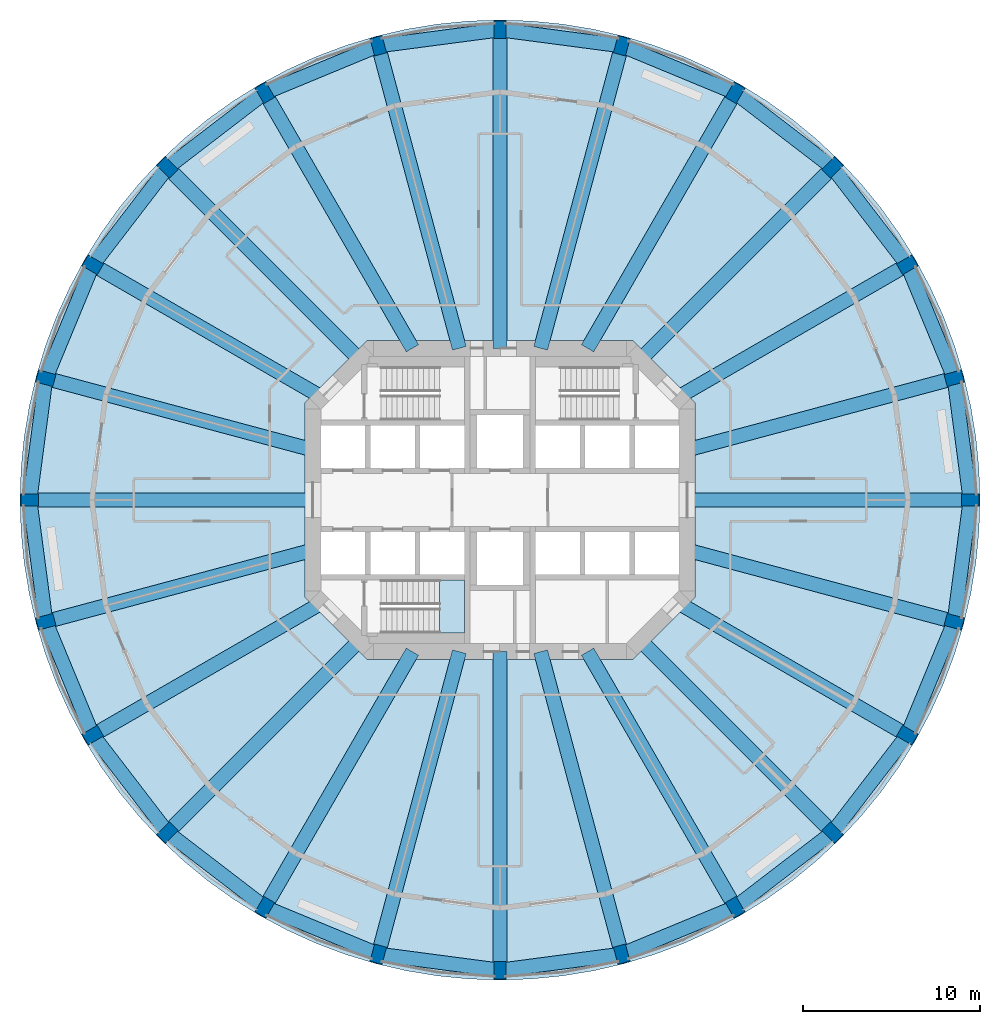
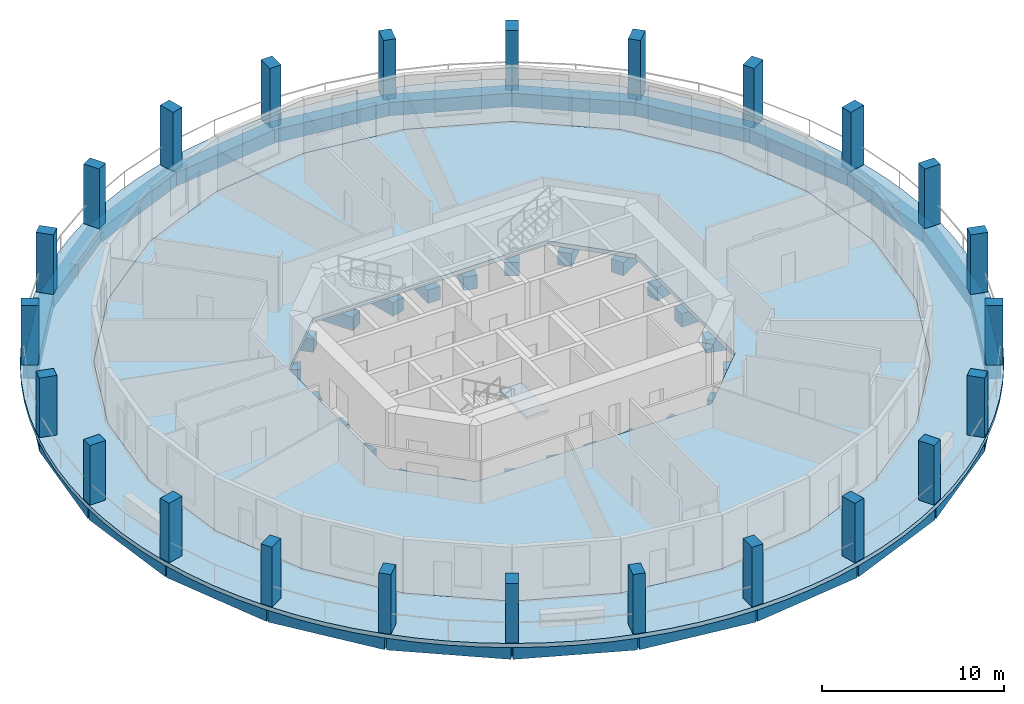
# One storey, part 1 of 9: 48 beams, 24 columns, 3 slabs, 1 element without a shape of its own.
"""IFC4 building model written with IfcOpenShell, lengths in metres."""

from ifc_helpers import new_model, si_unit, direction, frame, origin, origin_2d, place, context, subcontext, project, spatial, polyline, rectangle, outline, extrude, material, layer, layer_set, material_profile, profile_set, type_object, element, aggregate, save


model = new_model("IFC4")

# Units and contexts
model_context = context("Model", 3, precision=1e-05, world=origin(), true_north=direction((0.0, 1.0)))
body_context = subcontext(model_context, "Body", "Model", "MODEL_VIEW")
ifc_project = project(units=[si_unit("LENGTHUNIT", "METRE"), si_unit("AREAUNIT", "SQUARE_METRE"), si_unit("VOLUMEUNIT", "CUBIC_METRE"), si_unit("PLANEANGLEUNIT", "RADIAN"), si_unit("MASSUNIT", "GRAM", prefix="KILO")], contexts=[model_context])

# Site, building, storey
site_placement = place(None, origin())
site = spatial("IfcSite", under=ifc_project, at=site_placement, CompositionType="ELEMENT")
building_placement = place(site_placement, origin())
building = spatial("IfcBuilding", under=site, at=building_placement, Name="Torre Triforio", CompositionType="ELEMENT")
storey_placement = place(building_placement, frame((0.0, 0.0, 31.0)))
storey = spatial("IfcBuildingStorey", under=building, at=storey_placement, Name="L05", CompositionType="ELEMENT", Elevation=31.0)

# Columns
ifc_material_1 = material(Name="Concrete C70", Category="concrete")
ifc_material_profile_1 = material_profile(ifc_material_1, rectangle(XDim=0.699951171875, YDim=1.0, at=origin_2d()), Name="RC 700x1000")
ifc_profile_set_1 = profile_set([ifc_material_profile_1], Name="Concrete C70")
column_type = type_object("IfcColumnType", Name="Pier RC 700x1000 C70", PredefinedType="COLUMN", material=ifc_profile_set_1)
for number, where, z_axis, x_axis, name in (
    (1, (26.5, 0.0, 0.0), (0.0, 0.0, 1.0), (0.0, 1.0, 0.0), "COL.R.L05.00"),
    (2, (25.596923828125, 6.858642578125, 0.0), (0.0, 0.0, 1.0), (-0.258819045103, 0.965925826289, 0.0), "COL.R.L05.01"),
    (3, (22.94970703125, 13.25, 0.0), (0.0, 0.0, 1.0), (-0.5, 0.866025403784, 0.0), "COL.R.L05.02"),
    (4, (18.73828125, 18.73828125, 0.0), (0.0, 0.0, 1.0), (-0.707106781187, 0.707106781187, 0.0), "COL.R.L05.03"),
    (5, (13.25, 22.94970703125, 0.0), (0.0, 0.0, 1.0), (-0.866025403784, 0.5, 0.0), "COL.R.L05.04"),
    (6, (6.858642578125, 25.596923828125, 0.0), (0.0, 0.0, 1.0), (-0.965925826289, 0.258819045103, 0.0), "COL.R.L05.05"),
    (7, (0.0, 26.5, 0.0), (0.0, 0.0, 1.0), (-1.0, 0.0, 0.0), "COL.R.L05.06"),
    (8, (-6.858642578125, 25.596923828125, 0.0), (0.0, 0.0, 1.0), (-0.965925826289, -0.258819045103, 0.0), "COL.R.L05.07"),
    (9, (-13.25, 22.94970703125, 0.0), (0.0, 0.0, 1.0), (-0.866025403784, -0.5, 0.0), "COL.R.L05.08"),
    (10, (-18.73828125, 18.73828125, 0.0), (0.0, 0.0, 1.0), (-0.707106781187, -0.707106781187, 0.0), "COL.R.L05.09"),
    (11, (-22.94970703125, 13.25, 0.0), (0.0, 0.0, 1.0), (-0.5, -0.866025403784, 0.0), "COL.R.L05.10"),
    (12, (-25.596923828125, 6.858642578125, 0.0), (0.0, 0.0, 1.0), (-0.258819045103, -0.965925826289, 0.0), "COL.R.L05.11"),
    (13, (-26.5, 0.0, 0.0), (0.0, 0.0, 1.0), (0.0, -1.0, 0.0), "COL.R.L05.12"),
    (14, (-25.596923828125, -6.858642578125, 0.0), (0.0, 0.0, 1.0), (0.258819045103, -0.965925826289, 0.0), "COL.R.L05.13"),
    (15, (-22.94970703125, -13.25, 0.0), (0.0, 0.0, 1.0), (0.5, -0.866025403784, 0.0), "COL.R.L05.14"),
    (16, (-18.73828125, -18.73828125, 0.0), (0.0, 0.0, 1.0), (0.707106781187, -0.707106781187, 0.0), "COL.R.L05.15"),
    (17, (-13.25, -22.94970703125, 0.0), (0.0, 0.0, 1.0), (0.866025403784, -0.5, 0.0), "COL.R.L05.16"),
    (18, (-6.858642578125, -25.596923828125, 0.0), (0.0, 0.0, 1.0), (0.965925826289, -0.258819045103, 0.0), "COL.R.L05.17"),
    (19, (0.0, -26.5, 0.0), (0.0, 0.0, 1.0), (1.0, 0.0, 0.0), "COL.R.L05.18"),
    (20, (6.858642578125, -25.596923828125, 0.0), (0.0, 0.0, 1.0), (0.965925826289, 0.258819045103, 0.0), "COL.R.L05.19"),
    (21, (13.25, -22.94970703125, 0.0), (0.0, 0.0, 1.0), (0.866025403784, 0.5, 0.0), "COL.R.L05.20"),
    (22, (18.73828125, -18.73828125, 0.0), (0.0, 0.0, 1.0), (0.707106781187, 0.707106781187, 0.0), "COL.R.L05.21"),
    (23, (22.94970703125, -13.25, 0.0), (0.0, 0.0, 1.0), (0.5, 0.866025403784, 0.0), "COL.R.L05.22"),
    (24, (25.596923828125, -6.858642578125, 0.0), (0.0, 0.0, 1.0), (0.258819045103, 0.965925826289, 0.0), "COL.R.L05.23"),
):
    element("IfcColumn", number, at=place(storey_placement, frame(where, z_axis=z_axis, x_axis=x_axis)), inside=storey, type_object=column_type, Name=name, PredefinedType="COLUMN", context=body_context, shape_type="SweptSolid", body=[
        extrude(rectangle(XDim=0.699951171875, YDim=1.0, at=origin_2d()), origin(), (0.0, 0.0, 1.0), 4.0),
    ])

# Beams
ifc_material_2 = material(Name="Concrete C50", Category="concrete")
ifc_material_profile_2 = material_profile(ifc_material_2, rectangle(XDim=0.800048828125, YDim=0.89990234375, at=origin_2d()), Name="RC 800x900")
ifc_profile_set_2 = profile_set([ifc_material_profile_2], Name="Concrete C50")
beam_type_1 = type_object("IfcBeamType", Name="Radial beam RC 800x900 C50", PredefinedType="BEAM", material=ifc_profile_set_2)
beam_1_placement = place(storey_placement, frame((10.550048828125, 0.0, -0.72998046875), z_axis=(1.0, 0.0, 0.0), x_axis=(0.0, 1.0, 0.0)))
element("IfcBeam", 25, at=beam_1_placement, inside=storey, type_object=beam_type_1, Name="BM.R.L05.00", PredefinedType="BEAM", context=body_context, shape_type="SweptSolid", body=[
    extrude(rectangle(XDim=0.800048828125, YDim=0.89990234375, at=origin_2d()), origin(), (0.0, 0.0, 1.0), 15.949951171875),
])
beam_2_placement = place(storey_placement, frame((10.550048828125, 2.826904296875, -0.72998046875), z_axis=(0.965926784764, 0.258815467997, 0.0), x_axis=(-0.258815467997, 0.965926784764, 0.0)))
element("IfcBeam", 26, at=beam_2_placement, inside=storey, type_object=beam_type_1, Name="BM.R.L05.01", PredefinedType="BEAM", context=body_context, shape_type="SweptSolid", body=[
    extrude(rectangle(XDim=0.800048828125, YDim=0.89990234375, at=origin_2d()), origin(), (0.0, 0.0, 1.0), 15.57763671875),
])
beam_3_placement = place(storey_placement, frame((10.039794921875, 5.796630859375, -0.72998046875), z_axis=(0.866030402573, 0.499991341745, 0.0), x_axis=(-0.499991341745, 0.866030402573, 0.0)))
element("IfcBeam", 27, at=beam_3_placement, inside=storey, type_object=beam_type_1, Name="BM.R.L05.02", PredefinedType="BEAM", context=body_context, shape_type="SweptSolid", body=[
    extrude(rectangle(XDim=0.800048828125, YDim=0.89990234375, at=origin_2d()), origin(), (0.0, 0.0, 1.0), 14.906982421875),
])
beam_4_placement = place(storey_placement, frame((7.918212890625, 7.918212890625, -0.72998046875), z_axis=(0.707106781187, 0.707106781187, 0.0), x_axis=(-0.707106781187, 0.707106781187, 0.0)))
element("IfcBeam", 28, at=beam_4_placement, inside=storey, type_object=beam_type_1, Name="BM.R.L05.03", PredefinedType="BEAM", context=body_context, shape_type="SweptSolid", body=[
    extrude(rectangle(XDim=0.800048828125, YDim=0.89990234375, at=origin_2d()), origin(), (0.0, 0.0, 1.0), 15.302001953125),
])
beam_5_placement = place(storey_placement, frame((4.936279296875, 8.550048828125, -0.72998046875), z_axis=(0.500003345241, 0.8660234724, 0.0), x_axis=(-0.8660234724, 0.500003345241, 0.0)))
element("IfcBeam", 29, at=beam_5_placement, inside=storey, type_object=beam_type_1, Name="BM.R.L05.04", PredefinedType="BEAM", context=body_context, shape_type="SweptSolid", body=[
    extrude(rectangle(XDim=0.800048828125, YDim=0.89990234375, at=origin_2d()), origin(), (0.0, 0.0, 1.0), 16.62744140625),
])
beam_6_placement = place(storey_placement, frame((2.291015625, 8.550048828125, -0.72998046875), z_axis=(0.258815374176, 0.965926809903, 0.0), x_axis=(-0.965926809903, 0.258815374176, 0.0)))
element("IfcBeam", 30, at=beam_6_placement, inside=storey, type_object=beam_type_1, Name="BM.R.L05.05", PredefinedType="BEAM", context=body_context, shape_type="SweptSolid", body=[
    extrude(rectangle(XDim=0.800048828125, YDim=0.89990234375, at=origin_2d()), origin(), (0.0, 0.0, 1.0), 17.648193359375),
])
beam_7_placement = place(storey_placement, frame((0.0, 8.550048828125, -0.72998046875), z_axis=(0.0, 1.0, 0.0), x_axis=(-1.0, 0.0, 0.0)))
element("IfcBeam", 31, at=beam_7_placement, inside=storey, type_object=beam_type_1, Name="BM.R.L05.06", PredefinedType="BEAM", context=body_context, shape_type="SweptSolid", body=[
    extrude(rectangle(XDim=0.800048828125, YDim=0.89990234375, at=origin_2d()), origin(), (0.0, 0.0, 1.0), 17.949951171875),
])
beam_8_placement = place(storey_placement, frame((-2.291015625, 8.550048828125, -0.72998046875), z_axis=(-0.258815374176, 0.965926809903, 0.0), x_axis=(-0.965926809903, -0.258815374176, 0.0)))
element("IfcBeam", 32, at=beam_8_placement, inside=storey, type_object=beam_type_1, Name="BM.R.L05.07", PredefinedType="BEAM", context=body_context, shape_type="SweptSolid", body=[
    extrude(rectangle(XDim=0.800048828125, YDim=0.89990234375, at=origin_2d()), origin(), (0.0, 0.0, 1.0), 17.648193359375),
])
beam_9_placement = place(storey_placement, frame((-4.936279296875, 8.550048828125, -0.72998046875), z_axis=(-0.500003345241, 0.8660234724, 0.0), x_axis=(-0.8660234724, -0.500003345241, 0.0)))
element("IfcBeam", 33, at=beam_9_placement, inside=storey, type_object=beam_type_1, Name="BM.R.L05.08", PredefinedType="BEAM", context=body_context, shape_type="SweptSolid", body=[
    extrude(rectangle(XDim=0.800048828125, YDim=0.89990234375, at=origin_2d()), origin(), (0.0, 0.0, 1.0), 16.62744140625),
])
beam_10_placement = place(storey_placement, frame((-7.918212890625, 7.918212890625, -0.72998046875), z_axis=(-0.707106781187, 0.707106781187, 0.0), x_axis=(-0.707106781187, -0.707106781187, 0.0)))
element("IfcBeam", 34, at=beam_10_placement, inside=storey, type_object=beam_type_1, Name="BM.R.L05.09", PredefinedType="BEAM", context=body_context, shape_type="SweptSolid", body=[
    extrude(rectangle(XDim=0.800048828125, YDim=0.89990234375, at=origin_2d()), origin(), (0.0, 0.0, 1.0), 15.302001953125),
])
beam_11_placement = place(storey_placement, frame((-10.039794921875, 5.796630859375, -0.72998046875), z_axis=(-0.866030402573, 0.499991341745, 0.0), x_axis=(-0.499991341745, -0.866030402573, 0.0)))
element("IfcBeam", 35, at=beam_11_placement, inside=storey, type_object=beam_type_1, Name="BM.R.L05.10", PredefinedType="BEAM", context=body_context, shape_type="SweptSolid", body=[
    extrude(rectangle(XDim=0.800048828125, YDim=0.89990234375, at=origin_2d()), origin(), (0.0, 0.0, 1.0), 14.906982421875),
])
beam_12_placement = place(storey_placement, frame((-10.550048828125, 2.826904296875, -0.72998046875), z_axis=(-0.965926784764, 0.258815467997, 0.0), x_axis=(-0.258815467997, -0.965926784764, 0.0)))
element("IfcBeam", 36, at=beam_12_placement, inside=storey, type_object=beam_type_1, Name="BM.R.L05.11", PredefinedType="BEAM", context=body_context, shape_type="SweptSolid", body=[
    extrude(rectangle(XDim=0.800048828125, YDim=0.89990234375, at=origin_2d()), origin(), (0.0, 0.0, 1.0), 15.57763671875),
])
beam_13_placement = place(storey_placement, frame((-10.550048828125, 0.0, -0.72998046875), z_axis=(-1.0, 0.0, 0.0), x_axis=(0.0, -1.0, 0.0)))
element("IfcBeam", 37, at=beam_13_placement, inside=storey, type_object=beam_type_1, Name="BM.R.L05.12", PredefinedType="BEAM", context=body_context, shape_type="SweptSolid", body=[
    extrude(rectangle(XDim=0.800048828125, YDim=0.89990234375, at=origin_2d()), origin(), (0.0, 0.0, 1.0), 15.949951171875),
])
beam_14_placement = place(storey_placement, frame((-10.550048828125, -2.826904296875, -0.72998046875), z_axis=(-0.965926784764, -0.258815467997, 0.0), x_axis=(0.258815467997, -0.965926784764, 0.0)))
element("IfcBeam", 38, at=beam_14_placement, inside=storey, type_object=beam_type_1, Name="BM.R.L05.13", PredefinedType="BEAM", context=body_context, shape_type="SweptSolid", body=[
    extrude(rectangle(XDim=0.800048828125, YDim=0.89990234375, at=origin_2d()), origin(), (0.0, 0.0, 1.0), 15.57763671875),
])
beam_15_placement = place(storey_placement, frame((-10.039794921875, -5.796630859375, -0.72998046875), z_axis=(-0.866030402573, -0.499991341745, 0.0), x_axis=(0.499991341745, -0.866030402573, 0.0)))
element("IfcBeam", 39, at=beam_15_placement, inside=storey, type_object=beam_type_1, Name="BM.R.L05.14", PredefinedType="BEAM", context=body_context, shape_type="SweptSolid", body=[
    extrude(rectangle(XDim=0.800048828125, YDim=0.89990234375, at=origin_2d()), origin(), (0.0, 0.0, 1.0), 14.906982421875),
])
beam_16_placement = place(storey_placement, frame((-7.918212890625, -7.918212890625, -0.72998046875), z_axis=(-0.707106781187, -0.707106781187, 0.0), x_axis=(0.707106781187, -0.707106781187, 0.0)))
element("IfcBeam", 40, at=beam_16_placement, inside=storey, type_object=beam_type_1, Name="BM.R.L05.15", PredefinedType="BEAM", context=body_context, shape_type="SweptSolid", body=[
    extrude(rectangle(XDim=0.800048828125, YDim=0.89990234375, at=origin_2d()), origin(), (0.0, 0.0, 1.0), 15.302001953125),
])
beam_17_placement = place(storey_placement, frame((-4.936279296875, -8.550048828125, -0.72998046875), z_axis=(-0.500003345241, -0.8660234724, 0.0), x_axis=(0.8660234724, -0.500003345241, 0.0)))
element("IfcBeam", 41, at=beam_17_placement, inside=storey, type_object=beam_type_1, Name="BM.R.L05.16", PredefinedType="BEAM", context=body_context, shape_type="SweptSolid", body=[
    extrude(rectangle(XDim=0.800048828125, YDim=0.89990234375, at=origin_2d()), origin(), (0.0, 0.0, 1.0), 16.62744140625),
])
beam_18_placement = place(storey_placement, frame((-2.291015625, -8.550048828125, -0.72998046875), z_axis=(-0.258815374176, -0.965926809903, 0.0), x_axis=(0.965926809903, -0.258815374176, 0.0)))
element("IfcBeam", 42, at=beam_18_placement, inside=storey, type_object=beam_type_1, Name="BM.R.L05.17", PredefinedType="BEAM", context=body_context, shape_type="SweptSolid", body=[
    extrude(rectangle(XDim=0.800048828125, YDim=0.89990234375, at=origin_2d()), origin(), (0.0, 0.0, 1.0), 17.648193359375),
])
beam_19_placement = place(storey_placement, frame((0.0, -8.550048828125, -0.72998046875), z_axis=(0.0, -1.0, 0.0), x_axis=(1.0, 0.0, 0.0)))
element("IfcBeam", 43, at=beam_19_placement, inside=storey, type_object=beam_type_1, Name="BM.R.L05.18", PredefinedType="BEAM", context=body_context, shape_type="SweptSolid", body=[
    extrude(rectangle(XDim=0.800048828125, YDim=0.89990234375, at=origin_2d()), origin(), (0.0, 0.0, 1.0), 17.949951171875),
])
beam_20_placement = place(storey_placement, frame((2.291015625, -8.550048828125, -0.72998046875), z_axis=(0.258815374176, -0.965926809903, 0.0), x_axis=(0.965926809903, 0.258815374176, 0.0)))
element("IfcBeam", 44, at=beam_20_placement, inside=storey, type_object=beam_type_1, Name="BM.R.L05.19", PredefinedType="BEAM", context=body_context, shape_type="SweptSolid", body=[
    extrude(rectangle(XDim=0.800048828125, YDim=0.89990234375, at=origin_2d()), origin(), (0.0, 0.0, 1.0), 17.648193359375),
])
beam_21_placement = place(storey_placement, frame((4.936279296875, -8.550048828125, -0.72998046875), z_axis=(0.500003345241, -0.8660234724, 0.0), x_axis=(0.8660234724, 0.500003345241, 0.0)))
element("IfcBeam", 45, at=beam_21_placement, inside=storey, type_object=beam_type_1, Name="BM.R.L05.20", PredefinedType="BEAM", context=body_context, shape_type="SweptSolid", body=[
    extrude(rectangle(XDim=0.800048828125, YDim=0.89990234375, at=origin_2d()), origin(), (0.0, 0.0, 1.0), 16.62744140625),
])
beam_22_placement = place(storey_placement, frame((7.918212890625, -7.918212890625, -0.72998046875), z_axis=(0.707106781187, -0.707106781187, 0.0), x_axis=(0.707106781187, 0.707106781187, 0.0)))
element("IfcBeam", 46, at=beam_22_placement, inside=storey, type_object=beam_type_1, Name="BM.R.L05.21", PredefinedType="BEAM", context=body_context, shape_type="SweptSolid", body=[
    extrude(rectangle(XDim=0.800048828125, YDim=0.89990234375, at=origin_2d()), origin(), (0.0, 0.0, 1.0), 15.302001953125),
])
beam_23_placement = place(storey_placement, frame((10.039794921875, -5.796630859375, -0.72998046875), z_axis=(0.866030402573, -0.499991341745, 0.0), x_axis=(0.499991341745, 0.866030402573, 0.0)))
element("IfcBeam", 47, at=beam_23_placement, inside=storey, type_object=beam_type_1, Name="BM.R.L05.22", PredefinedType="BEAM", context=body_context, shape_type="SweptSolid", body=[
    extrude(rectangle(XDim=0.800048828125, YDim=0.89990234375, at=origin_2d()), origin(), (0.0, 0.0, 1.0), 14.906982421875),
])
beam_24_placement = place(storey_placement, frame((10.550048828125, -2.826904296875, -0.72998046875), z_axis=(0.965926784764, -0.258815467997, 0.0), x_axis=(0.258815467997, 0.965926784764, 0.0)))
element("IfcBeam", 48, at=beam_24_placement, inside=storey, type_object=beam_type_1, Name="BM.R.L05.23", PredefinedType="BEAM", context=body_context, shape_type="SweptSolid", body=[
    extrude(rectangle(XDim=0.800048828125, YDim=0.89990234375, at=origin_2d()), origin(), (0.0, 0.0, 1.0), 15.57763671875),
])
ifc_material_profile_3 = material_profile(ifc_material_2, rectangle(XDim=0.800048828125, YDim=0.89990234375, at=origin_2d()), Name="RC 800x900")
ifc_profile_set_3 = profile_set([ifc_material_profile_3], Name="Concrete C50")
beam_type_2 = type_object("IfcBeamType", Name="Spandrel beam RC 800x900 C50", PredefinedType="SPANDREL", material=ifc_profile_set_3)
beam_25_placement = place(storey_placement, frame((26.5, 0.0, -0.72998046875), z_axis=(-0.130543064996, 0.991442639885, 0.0), x_axis=(-0.991442639885, -0.130543064996, 0.0)))
element("IfcBeam", 49, at=beam_25_placement, inside=storey, type_object=beam_type_2, Name="BM.S.L05.00", PredefinedType="SPANDREL", context=body_context, shape_type="SweptSolid", body=[
    extrude(rectangle(XDim=0.800048828125, YDim=0.89990234375, at=origin_2d()), origin(), (0.0, 0.0, 1.0), 6.917724609375),
])
for number, where, z_axis, x_axis, name in (
    (50, (25.596923828125, 6.858642578125, -0.72998046875), (-0.382662441128, 0.923888227087, 0.0), (-0.923888227087, -0.382662441128, 0.0), "BM.S.L05.01"),
    (51, (22.94970703125, 13.25, -0.72998046875), (-0.608772297796, 0.793345000259, 0.0), (-0.793345000259, -0.608772297796, 0.0), "BM.S.L05.02"),
    (52, (18.73828125, 18.73828125, -0.72998046875), (-0.793345000259, 0.608772297796, 0.0), (-0.608772297796, -0.793345000259, 0.0), "BM.S.L05.03"),
    (53, (13.25, 22.94970703125, -0.72998046875), (-0.923888227087, 0.382662441128, 0.0), (-0.382662441128, -0.923888227087, 0.0), "BM.S.L05.04"),
):
    element("IfcBeam", number, at=place(storey_placement, frame(where, z_axis=z_axis, x_axis=x_axis)), inside=storey, type_object=beam_type_2, Name=name, PredefinedType="SPANDREL", context=body_context, shape_type="SweptSolid", body=[
        extrude(rectangle(XDim=0.800048828125, YDim=0.89990234375, at=origin_2d()), origin(), (0.0, 0.0, 1.0), 6.91796875),
    ])
for number, where, z_axis, x_axis, name in (
    (54, (6.858642578125, 25.596923828125, -0.72998046875), (-0.991442639885, 0.130543064996, 0.0), (-0.130543064996, -0.991442639885, 0.0), "BM.S.L05.05"),
    (55, (0.0, 26.5, -0.72998046875), (-0.991442639885, -0.130543064996, 0.0), (0.130543064996, -0.991442639885, 0.0), "BM.S.L05.06"),
):
    element("IfcBeam", number, at=place(storey_placement, frame(where, z_axis=z_axis, x_axis=x_axis)), inside=storey, type_object=beam_type_2, Name=name, PredefinedType="SPANDREL", context=body_context, shape_type="SweptSolid", body=[
        extrude(rectangle(XDim=0.800048828125, YDim=0.89990234375, at=origin_2d()), origin(), (0.0, 0.0, 1.0), 6.917724609375),
    ])
for number, where, z_axis, x_axis, name in (
    (56, (-6.858642578125, 25.596923828125, -0.72998046875), (-0.923888227087, -0.382662441128, 0.0), (0.382662441128, -0.923888227087, 0.0), "BM.S.L05.07"),
    (57, (-13.25, 22.94970703125, -0.72998046875), (-0.793345000259, -0.608772297796, 0.0), (0.608772297796, -0.793345000259, 0.0), "BM.S.L05.08"),
    (58, (-18.73828125, 18.73828125, -0.72998046875), (-0.608772297796, -0.793345000259, 0.0), (0.793345000259, -0.608772297796, 0.0), "BM.S.L05.09"),
    (59, (-22.94970703125, 13.25, -0.72998046875), (-0.382662441128, -0.923888227087, 0.0), (0.923888227087, -0.382662441128, 0.0), "BM.S.L05.10"),
):
    element("IfcBeam", number, at=place(storey_placement, frame(where, z_axis=z_axis, x_axis=x_axis)), inside=storey, type_object=beam_type_2, Name=name, PredefinedType="SPANDREL", context=body_context, shape_type="SweptSolid", body=[
        extrude(rectangle(XDim=0.800048828125, YDim=0.89990234375, at=origin_2d()), origin(), (0.0, 0.0, 1.0), 6.91796875),
    ])
for number, where, z_axis, x_axis, name in (
    (60, (-25.596923828125, 6.858642578125, -0.72998046875), (-0.130543064996, -0.991442639885, 0.0), (0.991442639885, -0.130543064996, 0.0), "BM.S.L05.11"),
    (61, (-26.5, 0.0, -0.72998046875), (0.130543064996, -0.991442639885, 0.0), (0.991442639885, 0.130543064996, 0.0), "BM.S.L05.12"),
):
    element("IfcBeam", number, at=place(storey_placement, frame(where, z_axis=z_axis, x_axis=x_axis)), inside=storey, type_object=beam_type_2, Name=name, PredefinedType="SPANDREL", context=body_context, shape_type="SweptSolid", body=[
        extrude(rectangle(XDim=0.800048828125, YDim=0.89990234375, at=origin_2d()), origin(), (0.0, 0.0, 1.0), 6.917724609375),
    ])
for number, where, z_axis, x_axis, name in (
    (62, (-25.596923828125, -6.858642578125, -0.72998046875), (0.382662441128, -0.923888227087, 0.0), (0.923888227087, 0.382662441128, 0.0), "BM.S.L05.13"),
    (63, (-22.94970703125, -13.25, -0.72998046875), (0.608772297796, -0.793345000259, 0.0), (0.793345000259, 0.608772297796, 0.0), "BM.S.L05.14"),
    (64, (-18.73828125, -18.73828125, -0.72998046875), (0.793345000259, -0.608772297796, 0.0), (0.608772297796, 0.793345000259, 0.0), "BM.S.L05.15"),
    (65, (-13.25, -22.94970703125, -0.72998046875), (0.923888227087, -0.382662441128, 0.0), (0.382662441128, 0.923888227087, 0.0), "BM.S.L05.16"),
):
    element("IfcBeam", number, at=place(storey_placement, frame(where, z_axis=z_axis, x_axis=x_axis)), inside=storey, type_object=beam_type_2, Name=name, PredefinedType="SPANDREL", context=body_context, shape_type="SweptSolid", body=[
        extrude(rectangle(XDim=0.800048828125, YDim=0.89990234375, at=origin_2d()), origin(), (0.0, 0.0, 1.0), 6.91796875),
    ])
for number, where, z_axis, x_axis, name in (
    (66, (-6.858642578125, -25.596923828125, -0.72998046875), (0.991442639885, -0.130543064996, 0.0), (0.130543064996, 0.991442639885, 0.0), "BM.S.L05.17"),
    (67, (0.0, -26.5, -0.72998046875), (0.991442639885, 0.130543064996, 0.0), (-0.130543064996, 0.991442639885, 0.0), "BM.S.L05.18"),
):
    element("IfcBeam", number, at=place(storey_placement, frame(where, z_axis=z_axis, x_axis=x_axis)), inside=storey, type_object=beam_type_2, Name=name, PredefinedType="SPANDREL", context=body_context, shape_type="SweptSolid", body=[
        extrude(rectangle(XDim=0.800048828125, YDim=0.89990234375, at=origin_2d()), origin(), (0.0, 0.0, 1.0), 6.917724609375),
    ])
for number, where, z_axis, x_axis, name in (
    (68, (6.858642578125, -25.596923828125, -0.72998046875), (0.923888227087, 0.382662441128, 0.0), (-0.382662441128, 0.923888227087, 0.0), "BM.S.L05.19"),
    (69, (13.25, -22.94970703125, -0.72998046875), (0.793345000259, 0.608772297796, 0.0), (-0.608772297796, 0.793345000259, 0.0), "BM.S.L05.20"),
    (70, (18.73828125, -18.73828125, -0.72998046875), (0.608772297796, 0.793345000259, 0.0), (-0.793345000259, 0.608772297796, 0.0), "BM.S.L05.21"),
    (71, (22.94970703125, -13.25, -0.72998046875), (0.382662441128, 0.923888227087, 0.0), (-0.923888227087, 0.382662441128, 0.0), "BM.S.L05.22"),
):
    element("IfcBeam", number, at=place(storey_placement, frame(where, z_axis=z_axis, x_axis=x_axis)), inside=storey, type_object=beam_type_2, Name=name, PredefinedType="SPANDREL", context=body_context, shape_type="SweptSolid", body=[
        extrude(rectangle(XDim=0.800048828125, YDim=0.89990234375, at=origin_2d()), origin(), (0.0, 0.0, 1.0), 6.91796875),
    ])
beam_26_placement = place(storey_placement, frame((25.596923828125, -6.858642578125, -0.72998046875), z_axis=(0.130543064996, 0.991442639885, 0.0), x_axis=(-0.991442639885, 0.130543064996, 0.0)))
element("IfcBeam", 72, at=beam_26_placement, inside=storey, type_object=beam_type_2, Name="BM.S.L05.23", PredefinedType="SPANDREL", context=body_context, shape_type="SweptSolid", body=[
    extrude(rectangle(XDim=0.800048828125, YDim=0.89990234375, at=origin_2d()), origin(), (0.0, 0.0, 1.0), 6.917724609375),
])

# Slabs
ifc_layer_1 = layer(ifc_material_2, 0.280029296875)
ifc_layer_set_1 = layer_set([ifc_layer_1], Name="Concrete C50")
slab_type_1 = type_object("IfcSlabType", Name="Floor slab 280 C50", PredefinedType="FLOOR", material=ifc_layer_set_1)
slab_1_placement = place(storey_placement, frame((0.0, 0.0, -0.280029296875)))
element("IfcSlab", 73, at=slab_1_placement, inside=storey, type_object=slab_type_1, Name="SL.L05", PredefinedType="FLOOR", context=body_context, shape_type="SweptSolid", body=[
    extrude(outline(polyline([(19.918701171875, -11.5), (22.21630859375, -5.952880859375), (23.0, 0.0), (22.21630859375, 5.952880859375), (19.918701171875, 11.5), (16.263427734375, 16.263427734375), (11.5, 19.918701171875), (5.952880859375, 22.21630859375), (0.0, 23.0), (-5.952880859375, 22.21630859375), (-11.5, 19.918701171875), (-16.263427734375, 16.263427734375), (-19.918701171875, 11.5), (-22.21630859375, 5.952880859375), (-23.0, 0.0), (-22.21630859375, -5.952880859375), (-19.918701171875, -11.5), (-16.263427734375, -16.263427734375), (-11.5, -19.918701171875), (-5.952880859375, -22.21630859375), (0.0, -23.0), (5.952880859375, -22.21630859375), (11.5, -19.918701171875), (16.263427734375, -16.263427734375), (19.918701171875, -11.5)]), holes=[polyline([(11.0, 5.472900390625), (11.0, -5.472900390625), (7.472900390625, -9.0), (-7.472900390625, -9.0), (-11.0, -5.472900390625), (-11.0, 5.472900390625), (-7.472900390625, 9.0), (7.472900390625, 9.0), (11.0, 5.472900390625)])]), origin(), (0.0, 0.0, 1.0), 0.280029296875),
])
ifc_layer_2 = layer(ifc_material_2, 0.280029296875)
ifc_layer_set_2 = layer_set([ifc_layer_2], Name="Concrete C50")
slab_type_2 = type_object("IfcSlabType", Name="Loggia slab 280 C50", PredefinedType="FLOOR", material=ifc_layer_set_2)
slab_2_placement = place(storey_placement, frame((0.0, 0.0, -0.280029296875)))
element("IfcSlab", 74, at=slab_2_placement, inside=storey, type_object=slab_type_2, Name="SL.L05.LG", PredefinedType="FLOOR", context=body_context, shape_type="SweptSolid", body=[
    extrude(outline(polyline([(26.9921875, -1.76904296875), (27.050048828125, 0.0), (26.9921875, 1.76904296875), (26.818603515625, 3.53076171875), (26.5302734375, 5.277099609375), (26.128173828125, 7.0009765625), (25.614501953125, 8.69482421875), (24.990966796875, 10.3515625), (24.260498046875, 11.9638671875), (23.426025390625, 13.52490234375), (22.4912109375, 15.028076171875), (21.460205078125, 16.467041015625), (20.337158203125, 17.835205078125), (19.127197265625, 19.127197265625), (17.835205078125, 20.337158203125), (16.467041015625, 21.460205078125), (15.028076171875, 22.4912109375), (13.52490234375, 23.426025390625), (11.9638671875, 24.260498046875), (10.3515625, 24.990966796875), (8.69482421875, 25.614501953125), (7.0009765625, 26.128173828125), (5.277099609375, 26.5302734375), (3.53076171875, 26.818603515625), (1.76904296875, 26.9921875), (0.0, 27.050048828125), (-1.76904296875, 26.9921875), (-3.53076171875, 26.818603515625), (-5.277099609375, 26.5302734375), (-7.0009765625, 26.128173828125), (-8.69482421875, 25.614501953125), (-10.3515625, 24.990966796875), (-11.9638671875, 24.260498046875), (-13.52490234375, 23.426025390625), (-15.028076171875, 22.4912109375), (-16.467041015625, 21.460205078125), (-17.835205078125, 20.337158203125), (-19.127197265625, 19.127197265625), (-20.337158203125, 17.835205078125), (-21.460205078125, 16.467041015625), (-22.4912109375, 15.028076171875), (-23.426025390625, 13.52490234375), (-24.260498046875, 11.9638671875), (-24.990966796875, 10.3515625), (-25.614501953125, 8.69482421875), (-26.128173828125, 7.0009765625), (-26.5302734375, 5.277099609375), (-26.818603515625, 3.53076171875), (-26.9921875, 1.76904296875), (-27.050048828125, 0.0), (-26.9921875, -1.76904296875), (-26.818603515625, -3.53076171875), (-26.5302734375, -5.277099609375), (-26.128173828125, -7.0009765625), (-25.614501953125, -8.69482421875), (-24.990966796875, -10.3515625), (-24.260498046875, -11.9638671875), (-23.426025390625, -13.52490234375), (-22.4912109375, -15.028076171875), (-21.460205078125, -16.467041015625), (-20.337158203125, -17.835205078125), (-19.127197265625, -19.127197265625), (-17.835205078125, -20.337158203125), (-16.467041015625, -21.460205078125), (-15.028076171875, -22.4912109375), (-13.52490234375, -23.426025390625), (-11.9638671875, -24.260498046875), (-10.3515625, -24.990966796875), (-8.69482421875, -25.614501953125), (-7.0009765625, -26.128173828125), (-5.277099609375, -26.5302734375), (-3.53076171875, -26.818603515625), (-1.76904296875, -26.9921875), (0.0, -27.050048828125), (1.76904296875, -26.9921875), (3.53076171875, -26.818603515625), (5.277099609375, -26.5302734375), (7.0009765625, -26.128173828125), (8.69482421875, -25.614501953125), (10.3515625, -24.990966796875), (11.9638671875, -24.260498046875), (13.52490234375, -23.426025390625), (15.028076171875, -22.4912109375), (16.467041015625, -21.460205078125), (17.835205078125, -20.337158203125), (19.127197265625, -19.127197265625), (20.337158203125, -17.835205078125), (21.460205078125, -16.467041015625), (22.4912109375, -15.028076171875), (23.426025390625, -13.52490234375), (24.260498046875, -11.9638671875), (24.990966796875, -10.3515625), (25.614501953125, -8.69482421875), (26.128173828125, -7.0009765625), (26.5302734375, -5.277099609375), (26.818603515625, -3.53076171875), (26.9921875, -1.76904296875)]), holes=[polyline([(22.21630859375, 5.952880859375), (23.0, 0.0), (22.21630859375, -5.952880859375), (19.918701171875, -11.5), (16.263427734375, -16.263427734375), (11.5, -19.918701171875), (5.952880859375, -22.21630859375), (0.0, -23.0), (-5.952880859375, -22.21630859375), (-11.5, -19.918701171875), (-16.263427734375, -16.263427734375), (-19.918701171875, -11.5), (-22.21630859375, -5.952880859375), (-23.0, 0.0), (-22.21630859375, 5.952880859375), (-19.918701171875, 11.5), (-16.263427734375, 16.263427734375), (-11.5, 19.918701171875), (-5.952880859375, 22.21630859375), (0.0, 23.0), (5.952880859375, 22.21630859375), (11.5, 19.918701171875), (16.263427734375, 16.263427734375), (19.918701171875, 11.5), (22.21630859375, 5.952880859375)])]), origin(), (0.0, 0.0, 1.0), 0.280029296875),
])

# Stair, slab
ifc_material_3 = material(Name="Concrete C40", Category="concrete")
stair_type = type_object("IfcStairType", Name="STAIR HALF-TURN", PredefinedType="HALF_TURN_STAIR", material=ifc_material_3)
stair_placement = place(storey_placement, origin())
stair = element("IfcStair", 75, at=stair_placement, inside=storey, type_object=stair_type, Name="Exit stair 3", PredefinedType="HALF_TURN_STAIR")
ifc_layer_3 = layer(ifc_material_3, 0.199951171875)
ifc_layer_set_3 = layer_set([ifc_layer_3], Name="Concrete C40")
slab_type_3 = type_object("IfcSlabType", Name="STAIR LANDING 200", PredefinedType="LANDING", material=ifc_layer_set_3)
slab_3_placement = place(storey_placement, frame((0.0, 0.0, 1.800048828125)))
slab_3 = element("IfcSlab", 76, at=slab_3_placement, type_object=slab_type_3, Name="ST3 landing 1", PredefinedType="LANDING", context=body_context, shape_type="SweptSolid", body=[
    extrude(outline(polyline([(-2.0, -7.5), (-2.0, -4.5), (-3.39990234375, -4.5), (-3.39990234375, -7.5), (-2.0, -7.5)])), origin(), (0.0, 0.0, 1.0), 0.199951171875),
])
aggregate(stair, [slab_3])

save(model, "model.ifc")
